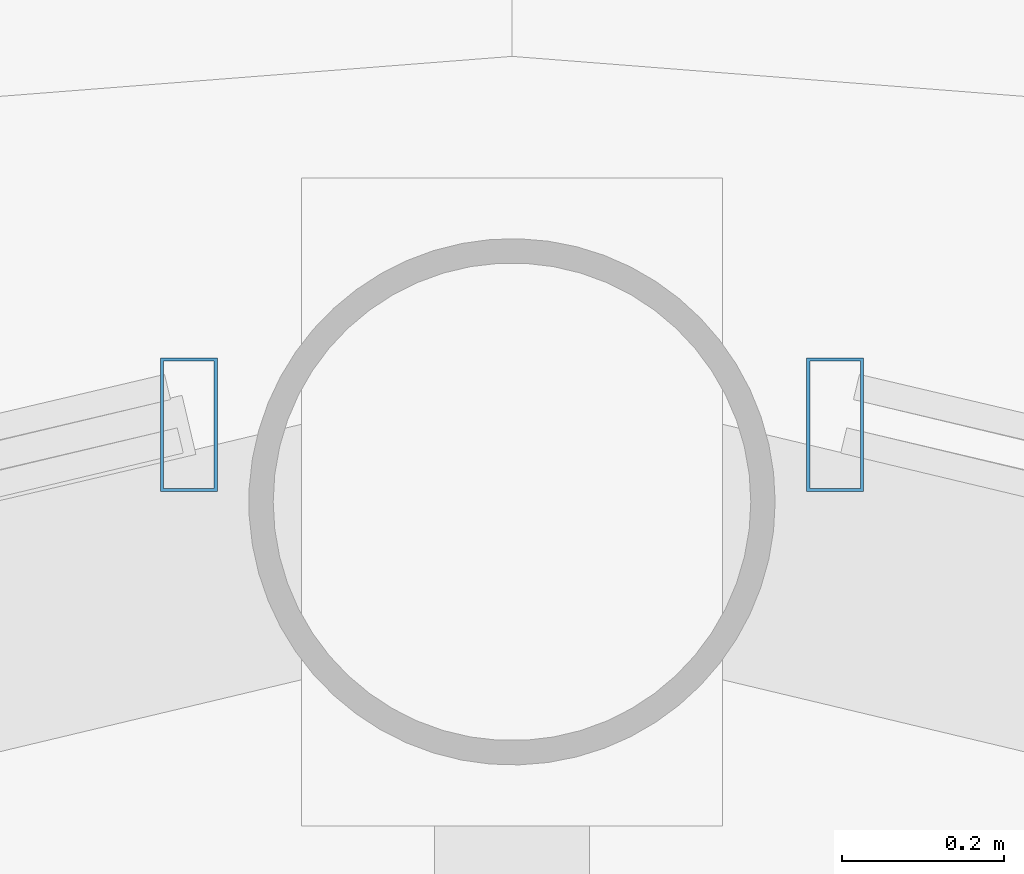
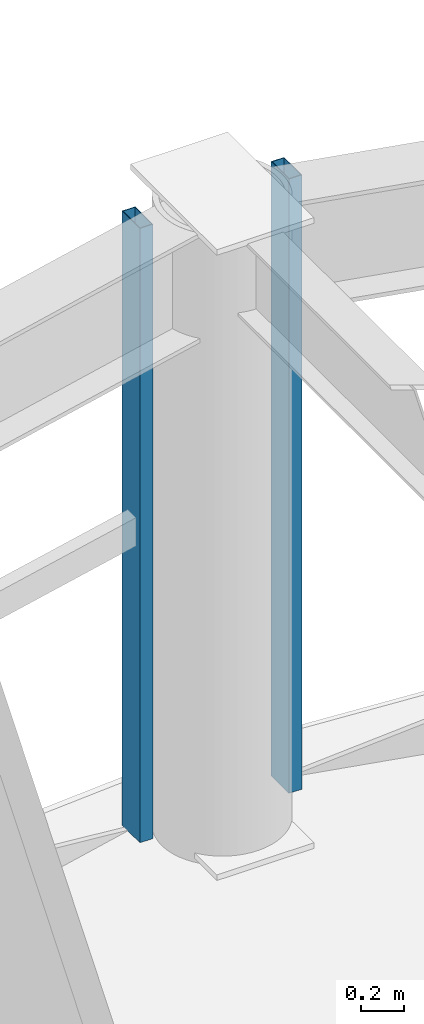
# One storey, part 19 of 30: 2 members, 2 elements without a shape of their own.
"""IFC4 building model written with IfcOpenShell, lengths in metres."""

import ifcopenshell
import ifcopenshell.guid

model = None  # the IFC model being written
_history = None  # IfcOwnerHistory: only IFC2X3 demands one
_inside = {}  # id of a spatial element -> (the spatial element, [elements in it])
_under = {}  # id of a project, library or spatial element -> (it, [spatial elements below it])
_declared = {}  # id of a project -> (the project, [libraries it declares])
_typed = {}  # id of a type object -> (the type object, [elements of that type])
_made_of = {}  # id of a material, layer set ... -> (it, [elements and type objects made of it])


def new_model(schema):
    """Start an empty IFC model of exactly this schema.

    Asked for "IFC4X3", IfcOpenShell would pick the latest addendum, in which some entities
    have other attributes; the version numbers below select the first issue.
    IFC2X3 requires an IfcOwnerHistory on every rooted entity: one is made here for all.
    """
    global model, _history
    if schema == "IFC4X3":
        model = ifcopenshell.file(schema_version=(4, 3, 0, 0))
    else:
        model = ifcopenshell.file(schema=schema)
    _inside.clear()
    _under.clear()
    _declared.clear()
    _typed.clear()
    _made_of.clear()
    _history = None
    if model.schema == "IFC2X3":
        org = make("IfcOrganization", Name="unknown")
        user = make(
            "IfcPersonAndOrganization",
            ThePerson=make("IfcPerson", FamilyName="unknown"),
            TheOrganization=org,
        )
        app = make(
            "IfcApplication",
            ApplicationDeveloper=org,
            Version="unknown",
            ApplicationFullName="unknown",
            ApplicationIdentifier="unknown",
        )
        _history = make(
            "IfcOwnerHistory",
            OwningUser=user,
            OwningApplication=app,
            ChangeAction="ADDED",
            CreationDate=0,
        )
    return model


def make(cls, **values):
    """One entity of the class cls with the attributes given. An attribute that is None is left unset."""
    return model.create_entity(
        cls, **{name: value for name, value in values.items() if value is not None}
    )


def rooted(cls, **values):
    """An entity with a GlobalId (a new one), such as an element, a storey or a relation."""
    return make(cls, GlobalId=ifcopenshell.guid.new(), OwnerHistory=_history, **values)


def si_unit(unit_type, name, prefix=None):
    """IfcSIUnit, for example si_unit("LENGTHUNIT", "METRE", prefix="MILLI")."""
    return make("IfcSIUnit", UnitType=unit_type, Prefix=prefix, Name=name)


def assignment(units):
    """IfcUnitAssignment: the units of a project."""
    return None if units is None else make("IfcUnitAssignment", Units=units)


def point(xyz):
    """IfcCartesianPoint."""
    return None if xyz is None else make("IfcCartesianPoint", Coordinates=xyz)


def direction(xyz):
    """IfcDirection."""
    return None if xyz is None else make("IfcDirection", DirectionRatios=xyz)


def frame(location, z_axis=None, x_axis=None):
    """IfcAxis2Placement3D, a coordinate frame: its origin and axes. An axis left out is left unset."""
    return make(
        "IfcAxis2Placement3D",
        Location=point(location),
        Axis=direction(z_axis),
        RefDirection=direction(x_axis),
    )


def frame_2d(location, x_axis=None):
    """IfcAxis2Placement2D, a coordinate frame in the plane: its origin and x axis."""
    return make(
        "IfcAxis2Placement2D", Location=point(location), RefDirection=direction(x_axis)
    )


def origin():
    """The frame at (0, 0, 0) with its axes left unset."""
    return frame((0.0, 0.0, 0.0))


def origin_2d():
    """The frame at (0, 0) in the plane with its x axis left unset."""
    return frame_2d((0.0, 0.0))


def place(relative_to, where):
    """IfcLocalPlacement: puts the frame where relative to a parent placement (None: the world)."""
    return make(
        "IfcLocalPlacement", PlacementRelTo=relative_to, RelativePlacement=where
    )


def context(
    kind, dimensions, precision=None, world=None, true_north=None, identifier=None
):
    """IfcGeometricRepresentationContext, for example the 3D "Model" context."""
    return make(
        "IfcGeometricRepresentationContext",
        ContextIdentifier=identifier,
        ContextType=kind,
        CoordinateSpaceDimension=dimensions,
        Precision=precision,
        WorldCoordinateSystem=world,
        TrueNorth=true_north,
    )


def subcontext(parent, identifier, kind, view, scale=None):
    """IfcGeometricRepresentationSubContext, for example "Body" below "Model"."""
    return make(
        "IfcGeometricRepresentationSubContext",
        ContextIdentifier=identifier,
        ContextType=kind,
        ParentContext=parent,
        TargetScale=scale,
        TargetView=view,
    )


def project(units=None, contexts=None):
    """IfcProject with its units and contexts."""
    return rooted(
        "IfcProject",
        Name="project",
        RepresentationContexts=contexts,
        UnitsInContext=assignment(units),
    )


def spatial(cls, under=None, at=None, **own):
    """A site, building, storey or space (cls), placed at a placement, below another one or the project."""
    s = rooted(cls, ObjectPlacement=at, **own)
    if under is not None:
        _under.setdefault(under.id(), (under, []))[1].append(s)
    return s


def profile(cls, at=None, kind="AREA", **sizes):
    """A parametric profile (cls). Its sizes go by their IFC names, for example OverallWidth=200.0."""
    return make(cls, ProfileType=kind, Position=at, **sizes)


def hollow_rectangle(**sizes):
    """IfcRectangleHollowProfileDef."""
    return profile("IfcRectangleHollowProfileDef", **sizes)


def extrude(swept, where, along, depth):
    """IfcExtrudedAreaSolid: the profile swept, set in the frame where, extruded along a direction by depth."""
    return make(
        "IfcExtrudedAreaSolid",
        SweptArea=swept,
        Position=where,
        ExtrudedDirection=direction(along),
        Depth=depth,
    )


def shape(context_of_items, identifier, shape_type, items):
    """IfcShapeRepresentation: the items that make up one representation, for example the "Body"."""
    return make(
        "IfcShapeRepresentation",
        ContextOfItems=context_of_items,
        RepresentationIdentifier=identifier,
        RepresentationType=shape_type,
        Items=items,
    )


def material(Name=None, Category=None):
    """IfcMaterial."""
    return make("IfcMaterial", Name=Name, Category=Category)


def layer(
    of_material, thickness, ventilated=None, Name=None, Category=None, Priority=None
):
    """IfcMaterialLayer: one layer of a wall or slab, of a material (None: an air gap)."""
    return make(
        "IfcMaterialLayer",
        Material=of_material,
        LayerThickness=thickness,
        IsVentilated=ventilated,
        Name=Name,
        Category=Category,
        Priority=Priority,
    )


def layer_set(layers, Name=None):
    """IfcMaterialLayerSet."""
    return make("IfcMaterialLayerSet", MaterialLayers=layers, LayerSetName=Name)


def material_profile(
    of_material, cross_section, Name=None, Category=None, Priority=None
):
    """IfcMaterialProfile: a cross section and its material."""
    return make(
        "IfcMaterialProfile",
        Name=Name,
        Material=of_material,
        Profile=cross_section,
        Priority=Priority,
        Category=Category,
    )


def profile_set(profiles, Name=None, composite=None):
    """IfcMaterialProfileSet."""
    return make(
        "IfcMaterialProfileSet",
        Name=Name,
        MaterialProfiles=profiles,
        CompositeProfile=composite,
    )


def made_of(thing, what):
    """Note that an element or type object is made of a material, layer set ...; save() writes the relation."""
    if what is not None:
        _made_of.setdefault(what.id(), (what, []))[1].append(thing)
    return thing


def type_object(cls, material=None, **own):
    """A type object (cls), such as IfcWallType, which elements share."""
    return made_of(rooted(cls, **own), material)


def element(
    cls,
    number,
    at=None,
    inside=None,
    cuts=None,
    type_object=None,
    material=None,
    context=None,
    identifier="Body",
    shape_type=None,
    held_by="IfcProductDefinitionShape",
    body=None,
    shapes=None,
    **own,
):
    """One element of the class cls, such as IfcWall. Its Tag is "e" and its number.

    at: its placement. inside: the storey or other place that contains it. cuts: it is an
    opening in that element (IfcRelVoidsElement). A single representation is given by context,
    identifier, shape_type and body (its items); several are given by shapes. held_by: the class
    of the entity that holds the representations. save() writes the other relations.
    """
    e = rooted(cls, Tag="e%d" % number, ObjectPlacement=at, **own)
    if body is not None:
        shapes = [shape(context, identifier, shape_type, body)]
    if shapes is not None:
        e.Representation = make(held_by, Representations=shapes)
    if inside is not None:
        _inside.setdefault(inside.id(), (inside, []))[1].append(e)
    if cuts is not None:
        rooted(
            "IfcRelVoidsElement", RelatingBuildingElement=cuts, RelatedOpeningElement=e
        )
    if type_object is not None:
        _typed.setdefault(type_object.id(), (type_object, []))[1].append(e)
    return made_of(e, material)


def aggregate(whole, parts):
    """IfcRelAggregates: a whole, such as a stair, and the parts it consists of."""
    return rooted("IfcRelAggregates", RelatingObject=whole, RelatedObjects=parts)


def save(model, path):
    """Write the relations noted so far, then the file.

    IfcRelAggregates (storeys below a building ...), IfcRelContainedInSpatialStructure (elements
    in a storey), IfcRelDefinesByType, IfcRelAssociatesMaterial and IfcRelDeclares: one each for
    every whole, place, type object, material and project.
    """
    for whole, parts in _under.values():
        aggregate(whole, parts)
    for where, things in _inside.values():
        rooted(
            "IfcRelContainedInSpatialStructure",
            RelatedElements=things,
            RelatingStructure=where,
        )
    for kind, things in _typed.values():
        rooted("IfcRelDefinesByType", RelatedObjects=things, RelatingType=kind)
    for what, things in _made_of.values():
        rooted("IfcRelAssociatesMaterial", RelatedObjects=things, RelatingMaterial=what)
    for by, libraries in _declared.values():
        rooted("IfcRelDeclares", RelatingContext=by, RelatedDefinitions=libraries)
    model.write(path)


model = new_model("IFC4")

# Units and contexts
model_context = context("Model", 3, precision=1e-05, world=origin(), true_north=direction((0.0, 1.0)))
body_context = subcontext(model_context, "Body", "Model", "MODEL_VIEW")
ifc_project = project(units=[si_unit("LENGTHUNIT", "METRE"), si_unit("AREAUNIT", "SQUARE_METRE"), si_unit("VOLUMEUNIT", "CUBIC_METRE"), si_unit("PLANEANGLEUNIT", "RADIAN"), si_unit("MASSUNIT", "GRAM", prefix="KILO")], contexts=[model_context])

# Site, building, storey
site_placement = place(None, origin())
site = spatial("IfcSite", under=ifc_project, at=site_placement, CompositionType="ELEMENT")
building_placement = place(site_placement, origin())
building = spatial("IfcBuilding", under=site, at=building_placement, Name="Vantalir Tower", CompositionType="ELEMENT")
storey_placement = place(building_placement, frame((0.0, 0.0, 201.14990234375)))
storey = spatial("IfcBuildingStorey", under=building, at=storey_placement, Name="L50", CompositionType="ELEMENT", Elevation=201.14990234375)

# Curtain wall, member
ifc_material_1 = material(Name="Champagne-silver PVDF aluminium and double-silver Low-E glass", Category="aluminium")
ifc_layer = layer(ifc_material_1, 0.2099609375)
ifc_layer_set = layer_set([ifc_layer], Name="Champagne-silver PVDF aluminium and double-silver Low-E glass")
curtain_wall_type = type_object("IfcCurtainWallType", Name="CW-DIAMOND-Z3", PredefinedType="USERDEFINED", material=ifc_layer_set)
curtain_wall_1_placement = place(storey_placement, origin())
curtain_wall_1 = element("IfcCurtainWall", 1, at=curtain_wall_1_placement, inside=storey, type_object=curtain_wall_type, Name="L50 Quilted Pyramid-Diamond Curtain Wall S03", ObjectType="UNITISED CURTAIN WALL", PredefinedType="USERDEFINED")
ifc_material_2 = material(Name="Champagne-silver PVDF aluminium 6063-T6", Category="aluminium")
ifc_material_profile = material_profile(ifc_material_2, hollow_rectangle(XDim=0.070068359375, YDim=0.1650390625, WallThickness=0.00390625, at=origin_2d()), Name="Champagne-silver PVDF aluminium 6063-T6")
ifc_profile_set = profile_set([ifc_material_profile], Name="Champagne-silver PVDF aluminium 6063-T6")
member_type = type_object("IfcMemberType", Name="CWM-165x70", PredefinedType="MULLION", material=ifc_profile_set)
member_1_placement = place(storey_placement, frame((31.89892578125, 45.02001953125, 0.045166015625), z_axis=(0.0, 0.0, 1.0), x_axis=(1.0, 0.0, 0.0)))
member_1 = element("IfcMember", 2, at=member_1_placement, type_object=member_type, Name="CW-L50-S03 Mullion 2", PredefinedType="MULLION", context=body_context, shape_type="SweptSolid", body=[
    extrude(hollow_rectangle(XDim=0.070068359375, YDim=0.1650390625, WallThickness=0.00390625, at=origin_2d()), origin(), (0.0, 0.0, 1.0), 3.47998046875),
])
aggregate(curtain_wall_1, [member_1])

curtain_wall_2_placement = place(storey_placement, origin())
curtain_wall_2 = element("IfcCurtainWall", 3, at=curtain_wall_2_placement, inside=storey, type_object=curtain_wall_type, Name="L50 Quilted Pyramid-Diamond Curtain Wall S04", ObjectType="UNITISED CURTAIN WALL", PredefinedType="USERDEFINED")
member_2_placement = place(storey_placement, frame((31.10107421875, 45.02001953125, 0.045166015625), z_axis=(0.0, 0.0, 1.0), x_axis=(1.0, 0.0, 0.0)))
member_2 = element("IfcMember", 4, at=member_2_placement, type_object=member_type, Name="CW-L50-S04 Mullion 1", PredefinedType="MULLION", context=body_context, shape_type="SweptSolid", body=[
    extrude(hollow_rectangle(XDim=0.070068359375, YDim=0.1650390625, WallThickness=0.00390625, at=origin_2d()), origin(), (0.0, 0.0, 1.0), 3.47998046875),
])
aggregate(curtain_wall_2, [member_2])

save(model, "model.ifc")
